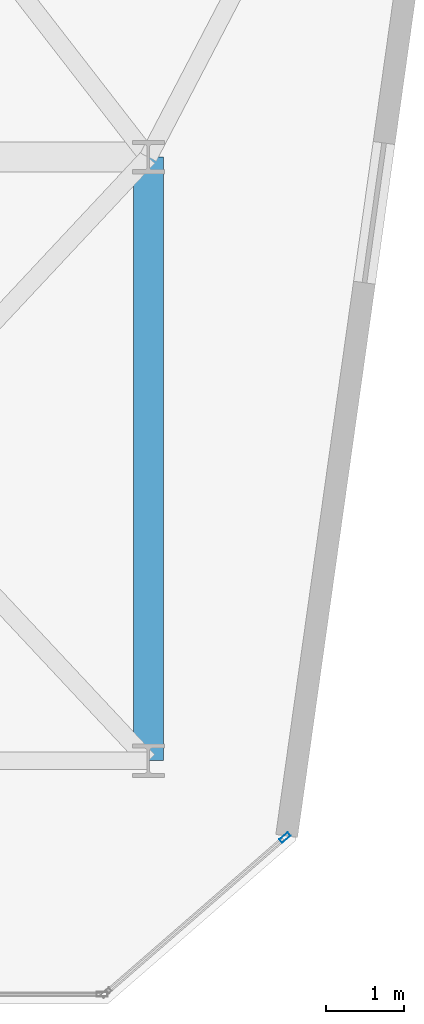
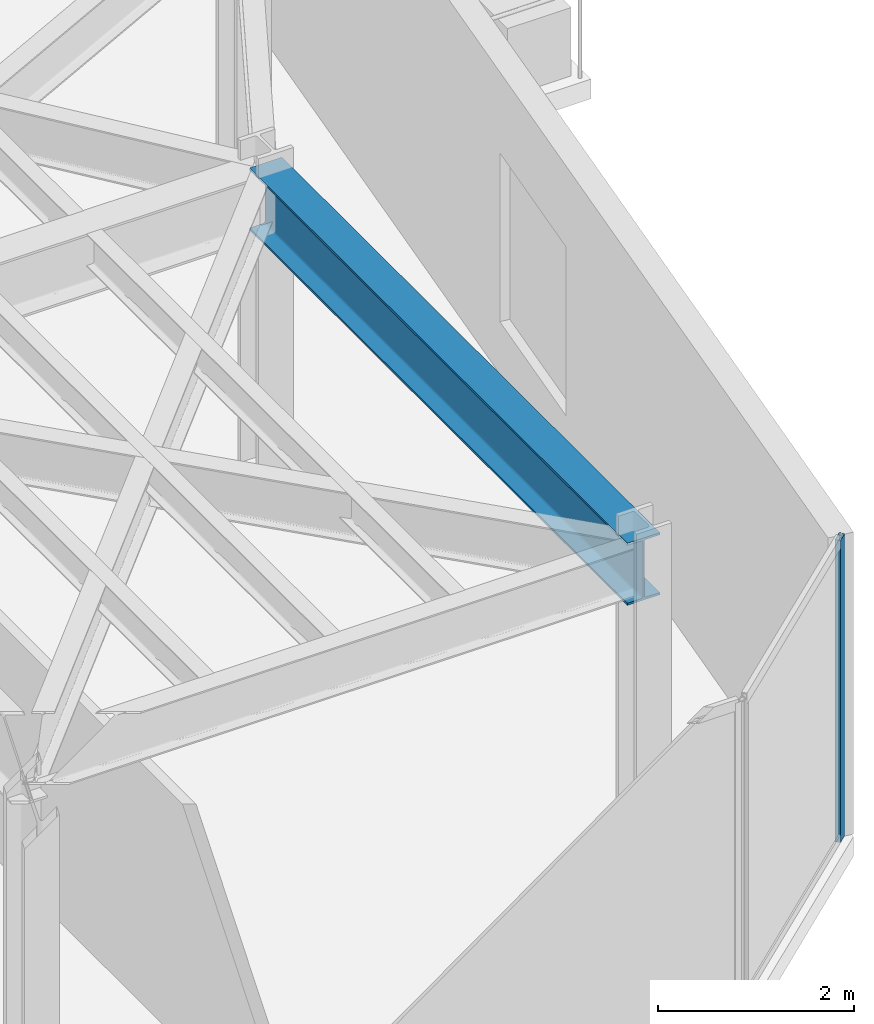
# One storey, part 14 of 21: 1 beam, 1 member, 1 element without a shape of its own.
"""IFC4 building model written with IfcOpenShell, lengths in metres."""

import ifcopenshell
import ifcopenshell.guid

model = None  # the IFC model being written
_history = None  # IfcOwnerHistory: only IFC2X3 demands one
_inside = {}  # id of a spatial element -> (the spatial element, [elements in it])
_under = {}  # id of a project, library or spatial element -> (it, [spatial elements below it])
_declared = {}  # id of a project -> (the project, [libraries it declares])
_typed = {}  # id of a type object -> (the type object, [elements of that type])
_made_of = {}  # id of a material, layer set ... -> (it, [elements and type objects made of it])


def new_model(schema):
    """Start an empty IFC model of exactly this schema.

    Asked for "IFC4X3", IfcOpenShell would pick the latest addendum, in which some entities
    have other attributes; the version numbers below select the first issue.
    IFC2X3 requires an IfcOwnerHistory on every rooted entity: one is made here for all.
    """
    global model, _history
    if schema == "IFC4X3":
        model = ifcopenshell.file(schema_version=(4, 3, 0, 0))
    else:
        model = ifcopenshell.file(schema=schema)
    _inside.clear()
    _under.clear()
    _declared.clear()
    _typed.clear()
    _made_of.clear()
    _history = None
    if model.schema == "IFC2X3":
        org = make("IfcOrganization", Name="unknown")
        user = make(
            "IfcPersonAndOrganization",
            ThePerson=make("IfcPerson", FamilyName="unknown"),
            TheOrganization=org,
        )
        app = make(
            "IfcApplication",
            ApplicationDeveloper=org,
            Version="unknown",
            ApplicationFullName="unknown",
            ApplicationIdentifier="unknown",
        )
        _history = make(
            "IfcOwnerHistory",
            OwningUser=user,
            OwningApplication=app,
            ChangeAction="ADDED",
            CreationDate=0,
        )
    return model


def make(cls, **values):
    """One entity of the class cls with the attributes given. An attribute that is None is left unset."""
    return model.create_entity(
        cls, **{name: value for name, value in values.items() if value is not None}
    )


def rooted(cls, **values):
    """An entity with a GlobalId (a new one), such as an element, a storey or a relation."""
    return make(cls, GlobalId=ifcopenshell.guid.new(), OwnerHistory=_history, **values)


def si_unit(unit_type, name, prefix=None):
    """IfcSIUnit, for example si_unit("LENGTHUNIT", "METRE", prefix="MILLI")."""
    return make("IfcSIUnit", UnitType=unit_type, Prefix=prefix, Name=name)


def assignment(units):
    """IfcUnitAssignment: the units of a project."""
    return None if units is None else make("IfcUnitAssignment", Units=units)


def point(xyz):
    """IfcCartesianPoint."""
    return None if xyz is None else make("IfcCartesianPoint", Coordinates=xyz)


def direction(xyz):
    """IfcDirection."""
    return None if xyz is None else make("IfcDirection", DirectionRatios=xyz)


def frame(location, z_axis=None, x_axis=None):
    """IfcAxis2Placement3D, a coordinate frame: its origin and axes. An axis left out is left unset."""
    return make(
        "IfcAxis2Placement3D",
        Location=point(location),
        Axis=direction(z_axis),
        RefDirection=direction(x_axis),
    )


def frame_2d(location, x_axis=None):
    """IfcAxis2Placement2D, a coordinate frame in the plane: its origin and x axis."""
    return make(
        "IfcAxis2Placement2D", Location=point(location), RefDirection=direction(x_axis)
    )


def origin():
    """The frame at (0, 0, 0) with its axes left unset."""
    return frame((0.0, 0.0, 0.0))


def origin_2d():
    """The frame at (0, 0) in the plane with its x axis left unset."""
    return frame_2d((0.0, 0.0))


def place(relative_to, where):
    """IfcLocalPlacement: puts the frame where relative to a parent placement (None: the world)."""
    return make(
        "IfcLocalPlacement", PlacementRelTo=relative_to, RelativePlacement=where
    )


def context(
    kind, dimensions, precision=None, world=None, true_north=None, identifier=None
):
    """IfcGeometricRepresentationContext, for example the 3D "Model" context."""
    return make(
        "IfcGeometricRepresentationContext",
        ContextIdentifier=identifier,
        ContextType=kind,
        CoordinateSpaceDimension=dimensions,
        Precision=precision,
        WorldCoordinateSystem=world,
        TrueNorth=true_north,
    )


def subcontext(parent, identifier, kind, view, scale=None):
    """IfcGeometricRepresentationSubContext, for example "Body" below "Model"."""
    return make(
        "IfcGeometricRepresentationSubContext",
        ContextIdentifier=identifier,
        ContextType=kind,
        ParentContext=parent,
        TargetScale=scale,
        TargetView=view,
    )


def project(units=None, contexts=None):
    """IfcProject with its units and contexts."""
    return rooted(
        "IfcProject",
        Name="project",
        RepresentationContexts=contexts,
        UnitsInContext=assignment(units),
    )


def spatial(cls, under=None, at=None, **own):
    """A site, building, storey or space (cls), placed at a placement, below another one or the project."""
    s = rooted(cls, ObjectPlacement=at, **own)
    if under is not None:
        _under.setdefault(under.id(), (under, []))[1].append(s)
    return s


def profile(cls, at=None, kind="AREA", **sizes):
    """A parametric profile (cls). Its sizes go by their IFC names, for example OverallWidth=200.0."""
    return make(cls, ProfileType=kind, Position=at, **sizes)


def hollow_rectangle(**sizes):
    """IfcRectangleHollowProfileDef."""
    return profile("IfcRectangleHollowProfileDef", **sizes)


def i_section(**sizes):
    """IfcIShapeProfileDef."""
    return profile("IfcIShapeProfileDef", **sizes)


def extrude(swept, where, along, depth):
    """IfcExtrudedAreaSolid: the profile swept, set in the frame where, extruded along a direction by depth."""
    return make(
        "IfcExtrudedAreaSolid",
        SweptArea=swept,
        Position=where,
        ExtrudedDirection=direction(along),
        Depth=depth,
    )


def shape(context_of_items, identifier, shape_type, items):
    """IfcShapeRepresentation: the items that make up one representation, for example the "Body"."""
    return make(
        "IfcShapeRepresentation",
        ContextOfItems=context_of_items,
        RepresentationIdentifier=identifier,
        RepresentationType=shape_type,
        Items=items,
    )


def material(Name=None, Category=None):
    """IfcMaterial."""
    return make("IfcMaterial", Name=Name, Category=Category)


def layer(
    of_material, thickness, ventilated=None, Name=None, Category=None, Priority=None
):
    """IfcMaterialLayer: one layer of a wall or slab, of a material (None: an air gap)."""
    return make(
        "IfcMaterialLayer",
        Material=of_material,
        LayerThickness=thickness,
        IsVentilated=ventilated,
        Name=Name,
        Category=Category,
        Priority=Priority,
    )


def layer_set(layers, Name=None):
    """IfcMaterialLayerSet."""
    return make("IfcMaterialLayerSet", MaterialLayers=layers, LayerSetName=Name)


def material_profile(
    of_material, cross_section, Name=None, Category=None, Priority=None
):
    """IfcMaterialProfile: a cross section and its material."""
    return make(
        "IfcMaterialProfile",
        Name=Name,
        Material=of_material,
        Profile=cross_section,
        Priority=Priority,
        Category=Category,
    )


def profile_set(profiles, Name=None, composite=None):
    """IfcMaterialProfileSet."""
    return make(
        "IfcMaterialProfileSet",
        Name=Name,
        MaterialProfiles=profiles,
        CompositeProfile=composite,
    )


def made_of(thing, what):
    """Note that an element or type object is made of a material, layer set ...; save() writes the relation."""
    if what is not None:
        _made_of.setdefault(what.id(), (what, []))[1].append(thing)
    return thing


def type_object(cls, material=None, **own):
    """A type object (cls), such as IfcWallType, which elements share."""
    return made_of(rooted(cls, **own), material)


def element(
    cls,
    number,
    at=None,
    inside=None,
    cuts=None,
    type_object=None,
    material=None,
    context=None,
    identifier="Body",
    shape_type=None,
    held_by="IfcProductDefinitionShape",
    body=None,
    shapes=None,
    **own,
):
    """One element of the class cls, such as IfcWall. Its Tag is "e" and its number.

    at: its placement. inside: the storey or other place that contains it. cuts: it is an
    opening in that element (IfcRelVoidsElement). A single representation is given by context,
    identifier, shape_type and body (its items); several are given by shapes. held_by: the class
    of the entity that holds the representations. save() writes the other relations.
    """
    e = rooted(cls, Tag="e%d" % number, ObjectPlacement=at, **own)
    if body is not None:
        shapes = [shape(context, identifier, shape_type, body)]
    if shapes is not None:
        e.Representation = make(held_by, Representations=shapes)
    if inside is not None:
        _inside.setdefault(inside.id(), (inside, []))[1].append(e)
    if cuts is not None:
        rooted(
            "IfcRelVoidsElement", RelatingBuildingElement=cuts, RelatedOpeningElement=e
        )
    if type_object is not None:
        _typed.setdefault(type_object.id(), (type_object, []))[1].append(e)
    return made_of(e, material)


def aggregate(whole, parts):
    """IfcRelAggregates: a whole, such as a stair, and the parts it consists of."""
    return rooted("IfcRelAggregates", RelatingObject=whole, RelatedObjects=parts)


def save(model, path):
    """Write the relations noted so far, then the file.

    IfcRelAggregates (storeys below a building ...), IfcRelContainedInSpatialStructure (elements
    in a storey), IfcRelDefinesByType, IfcRelAssociatesMaterial and IfcRelDeclares: one each for
    every whole, place, type object, material and project.
    """
    for whole, parts in _under.values():
        aggregate(whole, parts)
    for where, things in _inside.values():
        rooted(
            "IfcRelContainedInSpatialStructure",
            RelatedElements=things,
            RelatingStructure=where,
        )
    for kind, things in _typed.values():
        rooted("IfcRelDefinesByType", RelatedObjects=things, RelatingType=kind)
    for what, things in _made_of.values():
        rooted("IfcRelAssociatesMaterial", RelatedObjects=things, RelatingMaterial=what)
    for by, libraries in _declared.values():
        rooted("IfcRelDeclares", RelatingContext=by, RelatedDefinitions=libraries)
    model.write(path)


model = new_model("IFC4")

# Units and contexts
model_context = context("Model", 3, precision=1e-05, world=origin(), true_north=direction((0.0, 1.0)))
body_context = subcontext(model_context, "Body", "Model", "MODEL_VIEW")
ifc_project = project(units=[si_unit("LENGTHUNIT", "METRE"), si_unit("AREAUNIT", "SQUARE_METRE"), si_unit("VOLUMEUNIT", "CUBIC_METRE"), si_unit("PLANEANGLEUNIT", "RADIAN"), si_unit("MASSUNIT", "GRAM", prefix="KILO")], contexts=[model_context])

# Site, building, storey
site_placement = place(None, origin())
site = spatial("IfcSite", under=ifc_project, at=site_placement, CompositionType="ELEMENT")
building_placement = place(site_placement, origin())
building = spatial("IfcBuilding", under=site, at=building_placement, Name="Kravanh Interchange Tower", CompositionType="ELEMENT")
storey_placement = place(building_placement, frame((0.0, 0.0, 192.5)))
storey = spatial("IfcBuildingStorey", under=building, at=storey_placement, Name="L46", CompositionType="ELEMENT", Elevation=192.5)

# Curtain wall, member
ifc_material_1 = material(Name="Anodised Bronze Aluminium", Category="aluminium")
ifc_layer = layer(ifc_material_1, 0.179931640625)
ifc_layer_set = layer_set([ifc_layer], Name="Unitised Curtain Wall System CW-Z3 Upper Office")
curtain_wall_type = type_object("IfcCurtainWallType", Name="Unitised Curtain Wall System CW-Z3 Upper Office", PredefinedType="NOTDEFINED", material=ifc_layer_set)
curtain_wall_placement = place(storey_placement, origin())
curtain_wall = element("IfcCurtainWall", 1, at=curtain_wall_placement, inside=storey, type_object=curtain_wall_type, Name="L46 Unitised Curtain Wall CW-L46-01", PredefinedType="NOTDEFINED")
ifc_material_2 = material(Name="Anodised Bronze Aluminium", Category="aluminium")
ifc_material_profile_1 = material_profile(ifc_material_2, hollow_rectangle(XDim=0.06005859375, YDim=0.139892578125, WallThickness=0.00390625, at=origin_2d()), Name="ALU60X140X4")
ifc_profile_set_1 = profile_set([ifc_material_profile_1], Name="Anodised Bronze Aluminium")
member_type = type_object("IfcMemberType", Name="Curtain Wall Mullion ALU60X140X4 Bronze", PredefinedType="MULLION", material=ifc_profile_set_1)
member_placement = place(storey_placement, frame((64.94287109375, 13.52099609375, 0.0), z_axis=(0.0, 0.0, 1.0), x_axis=(0.65605090137, -0.754716645379, 0.0)))
member = element("IfcMember", 2, at=member_placement, type_object=member_type, Name="CW-Z3 mullion 1", PredefinedType="MULLION", context=body_context, shape_type="SweptSolid", body=[
    extrude(hollow_rectangle(XDim=0.06005859375, YDim=0.139892578125, WallThickness=0.00390625, at=origin_2d()), origin(), (0.0, 0.0, 1.0), 3.7548828125),
])
aggregate(curtain_wall, [member])

# Beam
ifc_material_3 = material(Name="Structural Steel S355", Category="steel")
ifc_material_profile_2 = material_profile(ifc_material_3, i_section(OverallWidth=0.381103515625, OverallDepth=0.77294921875, WebThickness=0.0166015625, FlangeThickness=0.027099609375, FilletRadius=0.02490234375, at=origin_2d()), Name="W30X173")
ifc_profile_set_2 = profile_set([ifc_material_profile_2], Name="Structural Steel S355")
beam_type = type_object("IfcBeamType", Name="Floor Beam W30X173 Structural Steel S355", PredefinedType="BEAM", material=ifc_profile_set_2)
beam_placement = place(storey_placement, frame((63.199951171875, 14.5, 3.368408203125), z_axis=(0.0, 1.0, 0.0), x_axis=(-1.0, 0.0, 0.0)))
element("IfcBeam", 3, at=beam_placement, inside=storey, type_object=beam_type, Name="L46 Primary Floor Girder 89", PredefinedType="BEAM", context=body_context, shape_type="SweptSolid", body=[
    extrude(i_section(OverallWidth=0.381103515625, OverallDepth=0.77294921875, WebThickness=0.0166015625, FlangeThickness=0.027099609375, FilletRadius=0.02490234375, at=origin_2d()), origin(), (0.0, 0.0, 1.0), 7.699951171875),
])

save(model, "model.ifc")
